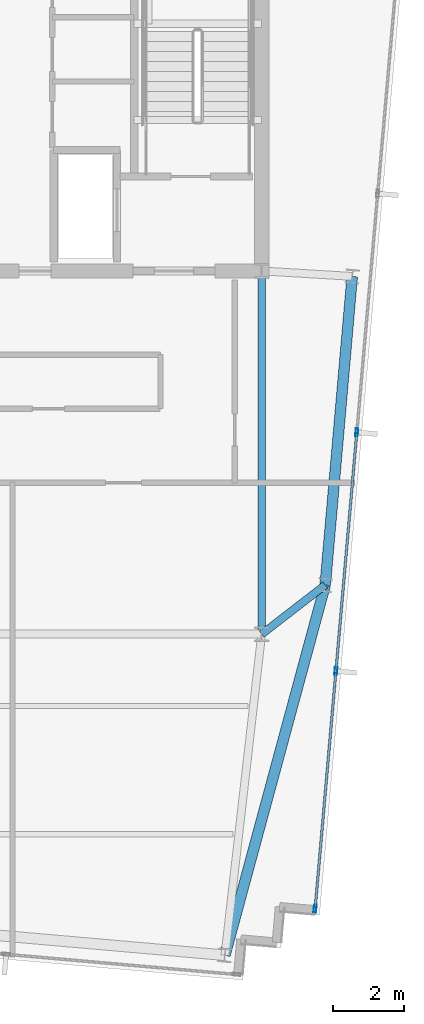
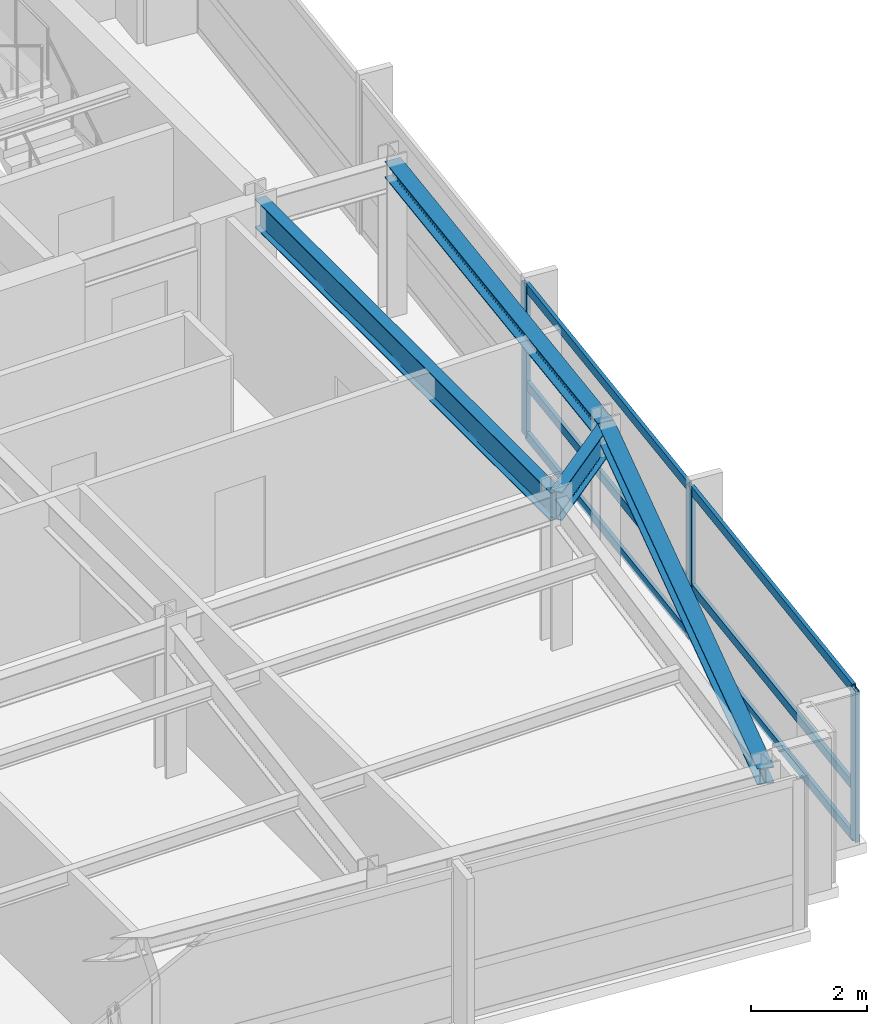
# One storey, part 12 of 24: 9 members, 4 beams, 1 element without a shape of its own.
"""IFC4 building model written with IfcOpenShell, lengths in metres."""

import ifcopenshell
import ifcopenshell.guid

model = None  # the IFC model being written
_history = None  # IfcOwnerHistory: only IFC2X3 demands one
_inside = {}  # id of a spatial element -> (the spatial element, [elements in it])
_under = {}  # id of a project, library or spatial element -> (it, [spatial elements below it])
_declared = {}  # id of a project -> (the project, [libraries it declares])
_typed = {}  # id of a type object -> (the type object, [elements of that type])
_made_of = {}  # id of a material, layer set ... -> (it, [elements and type objects made of it])


def new_model(schema):
    """Start an empty IFC model of exactly this schema.

    Asked for "IFC4X3", IfcOpenShell would pick the latest addendum, in which some entities
    have other attributes; the version numbers below select the first issue.
    IFC2X3 requires an IfcOwnerHistory on every rooted entity: one is made here for all.
    """
    global model, _history
    if schema == "IFC4X3":
        model = ifcopenshell.file(schema_version=(4, 3, 0, 0))
    else:
        model = ifcopenshell.file(schema=schema)
    _inside.clear()
    _under.clear()
    _declared.clear()
    _typed.clear()
    _made_of.clear()
    _history = None
    if model.schema == "IFC2X3":
        org = make("IfcOrganization", Name="unknown")
        user = make(
            "IfcPersonAndOrganization",
            ThePerson=make("IfcPerson", FamilyName="unknown"),
            TheOrganization=org,
        )
        app = make(
            "IfcApplication",
            ApplicationDeveloper=org,
            Version="unknown",
            ApplicationFullName="unknown",
            ApplicationIdentifier="unknown",
        )
        _history = make(
            "IfcOwnerHistory",
            OwningUser=user,
            OwningApplication=app,
            ChangeAction="ADDED",
            CreationDate=0,
        )
    return model


def make(cls, **values):
    """One entity of the class cls with the attributes given. An attribute that is None is left unset."""
    return model.create_entity(
        cls, **{name: value for name, value in values.items() if value is not None}
    )


def rooted(cls, **values):
    """An entity with a GlobalId (a new one), such as an element, a storey or a relation."""
    return make(cls, GlobalId=ifcopenshell.guid.new(), OwnerHistory=_history, **values)


def si_unit(unit_type, name, prefix=None):
    """IfcSIUnit, for example si_unit("LENGTHUNIT", "METRE", prefix="MILLI")."""
    return make("IfcSIUnit", UnitType=unit_type, Prefix=prefix, Name=name)


def assignment(units):
    """IfcUnitAssignment: the units of a project."""
    return None if units is None else make("IfcUnitAssignment", Units=units)


def point(xyz):
    """IfcCartesianPoint."""
    return None if xyz is None else make("IfcCartesianPoint", Coordinates=xyz)


def direction(xyz):
    """IfcDirection."""
    return None if xyz is None else make("IfcDirection", DirectionRatios=xyz)


def frame(location, z_axis=None, x_axis=None):
    """IfcAxis2Placement3D, a coordinate frame: its origin and axes. An axis left out is left unset."""
    return make(
        "IfcAxis2Placement3D",
        Location=point(location),
        Axis=direction(z_axis),
        RefDirection=direction(x_axis),
    )


def frame_2d(location, x_axis=None):
    """IfcAxis2Placement2D, a coordinate frame in the plane: its origin and x axis."""
    return make(
        "IfcAxis2Placement2D", Location=point(location), RefDirection=direction(x_axis)
    )


def origin():
    """The frame at (0, 0, 0) with its axes left unset."""
    return frame((0.0, 0.0, 0.0))


def origin_2d():
    """The frame at (0, 0) in the plane with its x axis left unset."""
    return frame_2d((0.0, 0.0))


def place(relative_to, where):
    """IfcLocalPlacement: puts the frame where relative to a parent placement (None: the world)."""
    return make(
        "IfcLocalPlacement", PlacementRelTo=relative_to, RelativePlacement=where
    )


def context(
    kind, dimensions, precision=None, world=None, true_north=None, identifier=None
):
    """IfcGeometricRepresentationContext, for example the 3D "Model" context."""
    return make(
        "IfcGeometricRepresentationContext",
        ContextIdentifier=identifier,
        ContextType=kind,
        CoordinateSpaceDimension=dimensions,
        Precision=precision,
        WorldCoordinateSystem=world,
        TrueNorth=true_north,
    )


def subcontext(parent, identifier, kind, view, scale=None):
    """IfcGeometricRepresentationSubContext, for example "Body" below "Model"."""
    return make(
        "IfcGeometricRepresentationSubContext",
        ContextIdentifier=identifier,
        ContextType=kind,
        ParentContext=parent,
        TargetScale=scale,
        TargetView=view,
    )


def project(units=None, contexts=None):
    """IfcProject with its units and contexts."""
    return rooted(
        "IfcProject",
        Name="project",
        RepresentationContexts=contexts,
        UnitsInContext=assignment(units),
    )


def spatial(cls, under=None, at=None, **own):
    """A site, building, storey or space (cls), placed at a placement, below another one or the project."""
    s = rooted(cls, ObjectPlacement=at, **own)
    if under is not None:
        _under.setdefault(under.id(), (under, []))[1].append(s)
    return s


def profile(cls, at=None, kind="AREA", **sizes):
    """A parametric profile (cls). Its sizes go by their IFC names, for example OverallWidth=200.0."""
    return make(cls, ProfileType=kind, Position=at, **sizes)


def hollow_rectangle(**sizes):
    """IfcRectangleHollowProfileDef."""
    return profile("IfcRectangleHollowProfileDef", **sizes)


def i_section(**sizes):
    """IfcIShapeProfileDef."""
    return profile("IfcIShapeProfileDef", **sizes)


def extrude(swept, where, along, depth):
    """IfcExtrudedAreaSolid: the profile swept, set in the frame where, extruded along a direction by depth."""
    return make(
        "IfcExtrudedAreaSolid",
        SweptArea=swept,
        Position=where,
        ExtrudedDirection=direction(along),
        Depth=depth,
    )


def shape(context_of_items, identifier, shape_type, items):
    """IfcShapeRepresentation: the items that make up one representation, for example the "Body"."""
    return make(
        "IfcShapeRepresentation",
        ContextOfItems=context_of_items,
        RepresentationIdentifier=identifier,
        RepresentationType=shape_type,
        Items=items,
    )


def material(Name=None, Category=None):
    """IfcMaterial."""
    return make("IfcMaterial", Name=Name, Category=Category)


def material_profile(
    of_material, cross_section, Name=None, Category=None, Priority=None
):
    """IfcMaterialProfile: a cross section and its material."""
    return make(
        "IfcMaterialProfile",
        Name=Name,
        Material=of_material,
        Profile=cross_section,
        Priority=Priority,
        Category=Category,
    )


def profile_set(profiles, Name=None, composite=None):
    """IfcMaterialProfileSet."""
    return make(
        "IfcMaterialProfileSet",
        Name=Name,
        MaterialProfiles=profiles,
        CompositeProfile=composite,
    )


def made_of(thing, what):
    """Note that an element or type object is made of a material, layer set ...; save() writes the relation."""
    if what is not None:
        _made_of.setdefault(what.id(), (what, []))[1].append(thing)
    return thing


def type_object(cls, material=None, **own):
    """A type object (cls), such as IfcWallType, which elements share."""
    return made_of(rooted(cls, **own), material)


def element(
    cls,
    number,
    at=None,
    inside=None,
    cuts=None,
    type_object=None,
    material=None,
    context=None,
    identifier="Body",
    shape_type=None,
    held_by="IfcProductDefinitionShape",
    body=None,
    shapes=None,
    **own,
):
    """One element of the class cls, such as IfcWall. Its Tag is "e" and its number.

    at: its placement. inside: the storey or other place that contains it. cuts: it is an
    opening in that element (IfcRelVoidsElement). A single representation is given by context,
    identifier, shape_type and body (its items); several are given by shapes. held_by: the class
    of the entity that holds the representations. save() writes the other relations.
    """
    e = rooted(cls, Tag="e%d" % number, ObjectPlacement=at, **own)
    if body is not None:
        shapes = [shape(context, identifier, shape_type, body)]
    if shapes is not None:
        e.Representation = make(held_by, Representations=shapes)
    if inside is not None:
        _inside.setdefault(inside.id(), (inside, []))[1].append(e)
    if cuts is not None:
        rooted(
            "IfcRelVoidsElement", RelatingBuildingElement=cuts, RelatedOpeningElement=e
        )
    if type_object is not None:
        _typed.setdefault(type_object.id(), (type_object, []))[1].append(e)
    return made_of(e, material)


def aggregate(whole, parts):
    """IfcRelAggregates: a whole, such as a stair, and the parts it consists of."""
    return rooted("IfcRelAggregates", RelatingObject=whole, RelatedObjects=parts)


def save(model, path):
    """Write the relations noted so far, then the file.

    IfcRelAggregates (storeys below a building ...), IfcRelContainedInSpatialStructure (elements
    in a storey), IfcRelDefinesByType, IfcRelAssociatesMaterial and IfcRelDeclares: one each for
    every whole, place, type object, material and project.
    """
    for whole, parts in _under.values():
        aggregate(whole, parts)
    for where, things in _inside.values():
        rooted(
            "IfcRelContainedInSpatialStructure",
            RelatedElements=things,
            RelatingStructure=where,
        )
    for kind, things in _typed.values():
        rooted("IfcRelDefinesByType", RelatedObjects=things, RelatingType=kind)
    for what, things in _made_of.values():
        rooted("IfcRelAssociatesMaterial", RelatedObjects=things, RelatingMaterial=what)
    for by, libraries in _declared.values():
        rooted("IfcRelDeclares", RelatingContext=by, RelatedDefinitions=libraries)
    model.write(path)


model = new_model("IFC4")

# Units and contexts
model_context = context("Model", 3, precision=1e-05, world=origin(), true_north=direction((0.0, 1.0)))
body_context = subcontext(model_context, "Body", "Model", "MODEL_VIEW")
ifc_project = project(units=[si_unit("LENGTHUNIT", "METRE"), si_unit("AREAUNIT", "SQUARE_METRE"), si_unit("VOLUMEUNIT", "CUBIC_METRE"), si_unit("PLANEANGLEUNIT", "RADIAN"), si_unit("MASSUNIT", "GRAM", prefix="KILO")], contexts=[model_context])

# Site, building, storey
site_placement = place(None, origin())
site = spatial("IfcSite", under=ifc_project, at=site_placement, CompositionType="ELEMENT")
building_placement = place(site_placement, origin())
building = spatial("IfcBuilding", under=site, at=building_placement, Name="Yelkora Congress Tower", CompositionType="ELEMENT")
storey_placement = place(building_placement, frame((0.0, 0.0, 296.5)))
storey = spatial("IfcBuildingStorey", under=building, at=storey_placement, Name="L83", CompositionType="ELEMENT", Elevation=296.5)

# Beams
ifc_material_1 = material(Name="Steel S355J2", Category="steel")
ifc_material_profile_1 = material_profile(ifc_material_1, i_section(OverallWidth=0.219970703125, OverallDepth=0.60009765625, WebThickness=0.011962890625, FlangeThickness=0.01904296875, FilletRadius=0.02392578125, at=origin_2d()), Name="IPE 600")
ifc_profile_set_1 = profile_set([ifc_material_profile_1], Name="Steel S355J2")
beam_type_1 = type_object("IfcBeamType", Name="BM-GIRD-IPE600", PredefinedType="BEAM", material=ifc_profile_set_1)
beam_1_placement = place(storey_placement, frame((53.760009765625, 25.199951171875, 2.8798828125), z_axis=(0.0, 1.0, 0.0), x_axis=(-1.0, 0.0, 0.0)))
element("IfcBeam", 1, at=beam_1_placement, inside=storey, type_object=beam_type_1, Name="L83 Core Tie Girder MC-D5", PredefinedType="BEAM", context=body_context, shape_type="SweptSolid", body=[
    extrude(i_section(OverallWidth=0.219970703125, OverallDepth=0.60009765625, WebThickness=0.011962890625, FlangeThickness=0.01904296875, FilletRadius=0.02392578125, at=origin_2d()), origin(), (0.0, 0.0, 1.0), 10.199951171875),
])
beam_2_placement = place(storey_placement, frame((55.543701171875, 26.57861328125, 2.8798828125), z_axis=(-0.791208781933, -0.611546125318, 0.0), x_axis=(0.611546125318, -0.791208781933, 0.0)))
element("IfcBeam", 2, at=beam_2_placement, inside=storey, type_object=beam_type_1, Name="L83 Primary Frame Girder E01", PredefinedType="BEAM", context=body_context, shape_type="SweptSolid", body=[
    extrude(i_section(OverallWidth=0.219970703125, OverallDepth=0.60009765625, WebThickness=0.011962890625, FlangeThickness=0.01904296875, FilletRadius=0.02392578125, at=origin_2d()), origin(), (0.0, 0.0, 1.0), 2.25439453125),
])
ifc_material_profile_2 = material_profile(ifc_material_1, i_section(OverallWidth=0.300048828125, OverallDepth=0.340087890625, WebThickness=0.011962890625, FlangeThickness=0.021484375, FilletRadius=0.027099609375, at=origin_2d()), Name="HEB 340")
ifc_profile_set_2 = profile_set([ifc_material_profile_2], Name="Steel S355J2")
beam_type_2 = type_object("IfcBeamType", Name="BM-SPAN-HEB340", PredefinedType="SPANDREL", material=ifc_profile_set_2)
beam_3_placement = place(storey_placement, frame((52.727294921875, 16.1845703125, 3.010009765625), z_axis=(0.261532523212, 0.965194663942, 0.0), x_axis=(-0.965194663942, 0.261532523212, 0.0)))
element("IfcBeam", 3, at=beam_3_placement, inside=storey, type_object=beam_type_2, Name="L83 Perimeter Beam 7", PredefinedType="SPANDREL", context=body_context, shape_type="SweptSolid", body=[
    extrude(i_section(OverallWidth=0.300048828125, OverallDepth=0.340087890625, WebThickness=0.011962890625, FlangeThickness=0.021484375, FilletRadius=0.027099609375, at=origin_2d()), origin(), (0.0, 0.0, 1.0), 10.768798828125),
])
beam_4_placement = place(storey_placement, frame((55.543701171875, 26.57861328125, 3.010009765625), z_axis=(0.08715998813, 0.99619432666, 0.0), x_axis=(-0.99619432666, 0.08715998813, 0.0)))
element("IfcBeam", 4, at=beam_4_placement, inside=storey, type_object=beam_type_2, Name="L83 Perimeter Beam 8", PredefinedType="SPANDREL", context=body_context, shape_type="SweptSolid", body=[
    extrude(i_section(OverallWidth=0.300048828125, OverallDepth=0.340087890625, WebThickness=0.011962890625, FlangeThickness=0.021484375, FilletRadius=0.027099609375, at=origin_2d()), origin(), (0.0, 0.0, 1.0), 8.7001953125),
])

# Curtain wall, members
ifc_material_2 = material(Name="Anodised aluminium and insulated glass", Category="aluminium")
curtain_wall_type = type_object("IfcCurtainWallType", Name="CW-SYS-SKY", PredefinedType="NOTDEFINED", material=ifc_material_2)
curtain_wall_placement = place(storey_placement, origin())
curtain_wall = element("IfcCurtainWall", 5, at=curtain_wall_placement, inside=storey, type_object=curtain_wall_type, Name="L83 Unitised Curtain Wall 15", PredefinedType="NOTDEFINED")
ifc_material_3 = material(Name="Anodised aluminium 6063-T6", Category="aluminium")
ifc_material_profile_3 = material_profile(ifc_material_3, hollow_rectangle(XDim=0.074951171875, YDim=0.219970703125, WallThickness=0.0048828125, at=origin_2d()), Name="ALU 75x220x5")
ifc_profile_set_3 = profile_set([ifc_material_profile_3], Name="Anodised aluminium 6063-T6")
member_type_1 = type_object("IfcMemberType", Name="MEM-ML-SKY", PredefinedType="MULLION", material=ifc_profile_set_3)
member_1_placement = place(storey_placement, frame((56.430908203125, 30.867431640625, 0.0), z_axis=(0.0, 0.0, 1.0), x_axis=(0.996194463398, -0.087158425264, 0.0)))
member_1 = element("IfcMember", 6, at=member_1_placement, type_object=member_type_1, Name="CW-SKY mullion 3", PredefinedType="MULLION", context=body_context, shape_type="SweptSolid", body=[
    extrude(hollow_rectangle(XDim=0.074951171875, YDim=0.219970703125, WallThickness=0.0048828125, at=origin_2d()), origin(), (0.0, 0.0, 1.0), 3.179931640625),
])
member_2_placement = place(storey_placement, frame((55.844482421875, 24.1630859375, 0.0), z_axis=(0.0, 0.0, 1.0), x_axis=(0.996194463398, -0.087158425264, 0.0)))
member_2 = element("IfcMember", 7, at=member_2_placement, type_object=member_type_1, Name="CW-SKY mullion 4", PredefinedType="MULLION", context=body_context, shape_type="SweptSolid", body=[
    extrude(hollow_rectangle(XDim=0.074951171875, YDim=0.219970703125, WallThickness=0.0048828125, at=origin_2d()), origin(), (0.0, 0.0, 1.0), 3.179931640625),
])
member_3_placement = place(storey_placement, frame((55.260986328125, 17.49609375, 0.0), z_axis=(0.0, 0.0, 1.0), x_axis=(0.996194463398, -0.087158425264, 0.0)))
member_3 = element("IfcMember", 8, at=member_3_placement, type_object=member_type_1, Name="CW-SKY mullion 5", PredefinedType="MULLION", context=body_context, shape_type="SweptSolid", body=[
    extrude(hollow_rectangle(XDim=0.074951171875, YDim=0.219970703125, WallThickness=0.0048828125, at=origin_2d()), origin(), (0.0, 0.0, 1.0), 3.179931640625),
])
ifc_material_profile_4 = material_profile(ifc_material_3, hollow_rectangle(XDim=0.070068359375, YDim=0.18994140625, WallThickness=0.00390625, at=origin_2d()), Name="ALU 70x190x4")
ifc_profile_set_4 = profile_set([ifc_material_profile_4], Name="Anodised aluminium 6063-T6")
member_type_2 = type_object("IfcMemberType", Name="MEM-TR-SKY", PredefinedType="USERDEFINED", material=ifc_profile_set_4)
member_4_placement = place(storey_placement, frame((56.427734375, 30.830078125, 0.034912109375), z_axis=(-0.08716467486, -0.996193916593, 0.0), x_axis=(0.996193916593, -0.08716467486, 0.0)))
member_4 = element("IfcMember", 9, at=member_4_placement, type_object=member_type_2, Name="CW-SKY transom 3.1", ObjectType="TRANSOM", PredefinedType="USERDEFINED", context=body_context, shape_type="SweptSolid", body=[
    extrude(hollow_rectangle(XDim=0.070068359375, YDim=0.18994140625, WallThickness=0.00390625, at=origin_2d()), origin(), (0.0, 0.0, 1.0), 6.655029296875),
])
member_5_placement = place(storey_placement, frame((56.427734375, 30.830078125, 1.10009765625), z_axis=(-0.08716467486, -0.996193916593, 0.0), x_axis=(0.996193916593, -0.08716467486, 0.0)))
member_5 = element("IfcMember", 10, at=member_5_placement, type_object=member_type_2, Name="CW-SKY transom 3.2", ObjectType="TRANSOM", PredefinedType="USERDEFINED", context=body_context, shape_type="SweptSolid", body=[
    extrude(hollow_rectangle(XDim=0.070068359375, YDim=0.18994140625, WallThickness=0.00390625, at=origin_2d()), origin(), (0.0, 0.0, 1.0), 6.655029296875),
])
member_6_placement = place(storey_placement, frame((56.427734375, 30.830078125, 3.14501953125), z_axis=(-0.08716467486, -0.996193916593, 0.0), x_axis=(0.996193916593, -0.08716467486, 0.0)))
member_6 = element("IfcMember", 11, at=member_6_placement, type_object=member_type_2, Name="CW-SKY transom 3.3", ObjectType="TRANSOM", PredefinedType="USERDEFINED", context=body_context, shape_type="SweptSolid", body=[
    extrude(hollow_rectangle(XDim=0.070068359375, YDim=0.18994140625, WallThickness=0.00390625, at=origin_2d()), origin(), (0.0, 0.0, 1.0), 6.655029296875),
])
member_7_placement = place(storey_placement, frame((55.841064453125, 24.125732421875, 0.034912109375), z_axis=(-0.087142236417, -0.99619587965, 0.0), x_axis=(0.99619587965, -0.087142236417, 0.0)))
member_7 = element("IfcMember", 12, at=member_7_placement, type_object=member_type_2, Name="CW-SKY transom 4.1", ObjectType="TRANSOM", PredefinedType="USERDEFINED", context=body_context, shape_type="SweptSolid", body=[
    extrude(hollow_rectangle(XDim=0.070068359375, YDim=0.18994140625, WallThickness=0.00390625, at=origin_2d()), origin(), (0.0, 0.0, 1.0), 6.617431640625),
])
member_8_placement = place(storey_placement, frame((55.841064453125, 24.125732421875, 1.10009765625), z_axis=(-0.087142236417, -0.99619587965, 0.0), x_axis=(0.99619587965, -0.087142236417, 0.0)))
member_8 = element("IfcMember", 13, at=member_8_placement, type_object=member_type_2, Name="CW-SKY transom 4.2", ObjectType="TRANSOM", PredefinedType="USERDEFINED", context=body_context, shape_type="SweptSolid", body=[
    extrude(hollow_rectangle(XDim=0.070068359375, YDim=0.18994140625, WallThickness=0.00390625, at=origin_2d()), origin(), (0.0, 0.0, 1.0), 6.617431640625),
])
member_9_placement = place(storey_placement, frame((55.841064453125, 24.125732421875, 3.14501953125), z_axis=(-0.087142236417, -0.99619587965, 0.0), x_axis=(0.99619587965, -0.087142236417, 0.0)))
member_9 = element("IfcMember", 14, at=member_9_placement, type_object=member_type_2, Name="CW-SKY transom 4.3", ObjectType="TRANSOM", PredefinedType="USERDEFINED", context=body_context, shape_type="SweptSolid", body=[
    extrude(hollow_rectangle(XDim=0.070068359375, YDim=0.18994140625, WallThickness=0.00390625, at=origin_2d()), origin(), (0.0, 0.0, 1.0), 6.617431640625),
])
aggregate(curtain_wall, [member_1, member_2, member_3, member_4, member_5, member_6, member_7, member_8, member_9])

save(model, "model.ifc")
